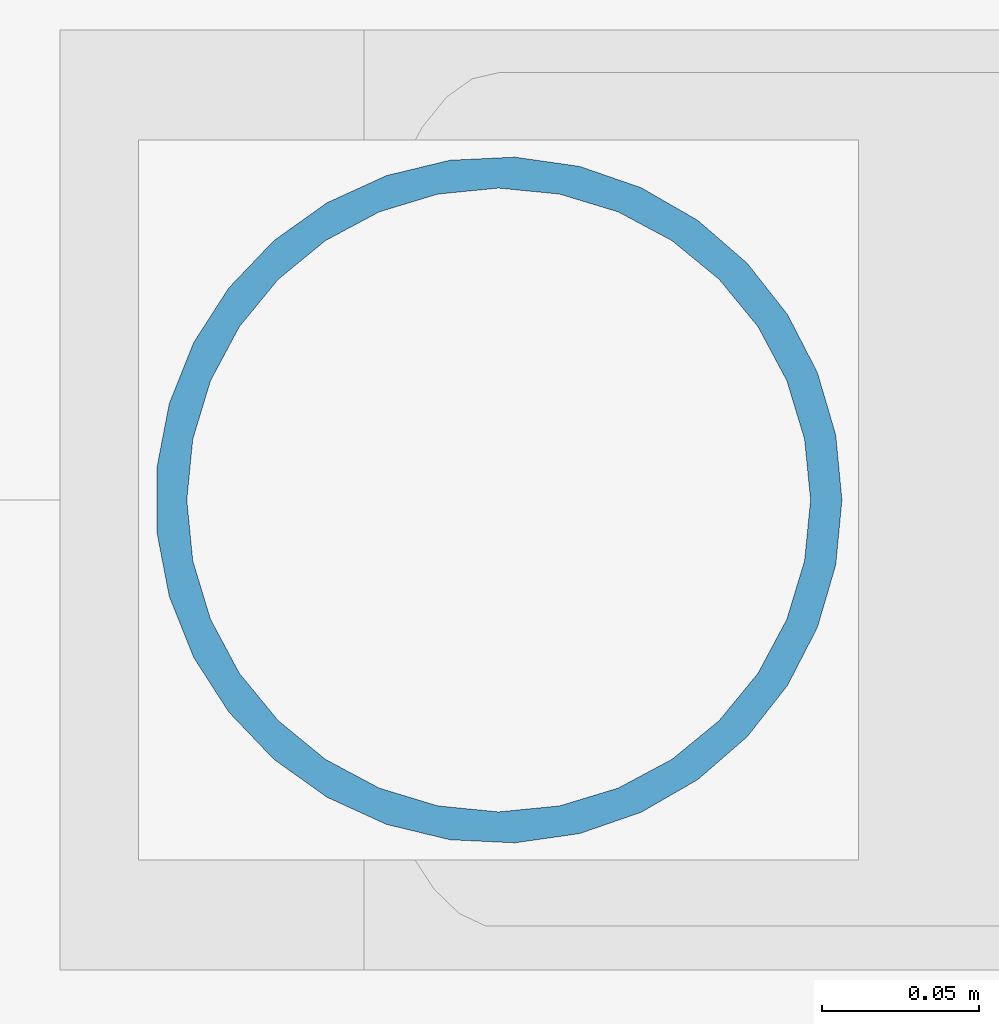
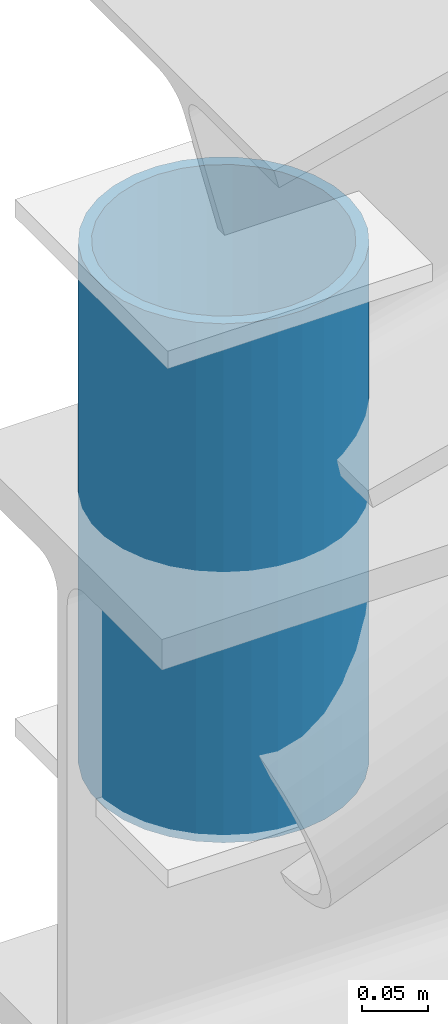
# One storey, part 44 of 56: 1 member.
"""IFC4 building model written with IfcOpenShell, lengths in metres."""

import ifcopenshell
import ifcopenshell.guid

model = None  # the IFC model being written
_history = None  # IfcOwnerHistory: only IFC2X3 demands one
_inside = {}  # id of a spatial element -> (the spatial element, [elements in it])
_under = {}  # id of a project, library or spatial element -> (it, [spatial elements below it])
_declared = {}  # id of a project -> (the project, [libraries it declares])
_typed = {}  # id of a type object -> (the type object, [elements of that type])
_made_of = {}  # id of a material, layer set ... -> (it, [elements and type objects made of it])


def new_model(schema):
    """Start an empty IFC model of exactly this schema.

    Asked for "IFC4X3", IfcOpenShell would pick the latest addendum, in which some entities
    have other attributes; the version numbers below select the first issue.
    IFC2X3 requires an IfcOwnerHistory on every rooted entity: one is made here for all.
    """
    global model, _history
    if schema == "IFC4X3":
        model = ifcopenshell.file(schema_version=(4, 3, 0, 0))
    else:
        model = ifcopenshell.file(schema=schema)
    _inside.clear()
    _under.clear()
    _declared.clear()
    _typed.clear()
    _made_of.clear()
    _history = None
    if model.schema == "IFC2X3":
        org = make("IfcOrganization", Name="unknown")
        user = make(
            "IfcPersonAndOrganization",
            ThePerson=make("IfcPerson", FamilyName="unknown"),
            TheOrganization=org,
        )
        app = make(
            "IfcApplication",
            ApplicationDeveloper=org,
            Version="unknown",
            ApplicationFullName="unknown",
            ApplicationIdentifier="unknown",
        )
        _history = make(
            "IfcOwnerHistory",
            OwningUser=user,
            OwningApplication=app,
            ChangeAction="ADDED",
            CreationDate=0,
        )
    return model


def make(cls, **values):
    """One entity of the class cls with the attributes given. An attribute that is None is left unset."""
    return model.create_entity(
        cls, **{name: value for name, value in values.items() if value is not None}
    )


def rooted(cls, **values):
    """An entity with a GlobalId (a new one), such as an element, a storey or a relation."""
    return make(cls, GlobalId=ifcopenshell.guid.new(), OwnerHistory=_history, **values)


def si_unit(unit_type, name, prefix=None):
    """IfcSIUnit, for example si_unit("LENGTHUNIT", "METRE", prefix="MILLI")."""
    return make("IfcSIUnit", UnitType=unit_type, Prefix=prefix, Name=name)


def assignment(units):
    """IfcUnitAssignment: the units of a project."""
    return None if units is None else make("IfcUnitAssignment", Units=units)


def point(xyz):
    """IfcCartesianPoint."""
    return None if xyz is None else make("IfcCartesianPoint", Coordinates=xyz)


def direction(xyz):
    """IfcDirection."""
    return None if xyz is None else make("IfcDirection", DirectionRatios=xyz)


def frame(location, z_axis=None, x_axis=None):
    """IfcAxis2Placement3D, a coordinate frame: its origin and axes. An axis left out is left unset."""
    return make(
        "IfcAxis2Placement3D",
        Location=point(location),
        Axis=direction(z_axis),
        RefDirection=direction(x_axis),
    )


def frame_2d(location, x_axis=None):
    """IfcAxis2Placement2D, a coordinate frame in the plane: its origin and x axis."""
    return make(
        "IfcAxis2Placement2D", Location=point(location), RefDirection=direction(x_axis)
    )


def origin():
    """The frame at (0, 0, 0) with its axes left unset."""
    return frame((0.0, 0.0, 0.0))


def origin_2d():
    """The frame at (0, 0) in the plane with its x axis left unset."""
    return frame_2d((0.0, 0.0))


def place(relative_to, where):
    """IfcLocalPlacement: puts the frame where relative to a parent placement (None: the world)."""
    return make(
        "IfcLocalPlacement", PlacementRelTo=relative_to, RelativePlacement=where
    )


def context(
    kind, dimensions, precision=None, world=None, true_north=None, identifier=None
):
    """IfcGeometricRepresentationContext, for example the 3D "Model" context."""
    return make(
        "IfcGeometricRepresentationContext",
        ContextIdentifier=identifier,
        ContextType=kind,
        CoordinateSpaceDimension=dimensions,
        Precision=precision,
        WorldCoordinateSystem=world,
        TrueNorth=true_north,
    )


def subcontext(parent, identifier, kind, view, scale=None):
    """IfcGeometricRepresentationSubContext, for example "Body" below "Model"."""
    return make(
        "IfcGeometricRepresentationSubContext",
        ContextIdentifier=identifier,
        ContextType=kind,
        ParentContext=parent,
        TargetScale=scale,
        TargetView=view,
    )


def project(units=None, contexts=None):
    """IfcProject with its units and contexts."""
    return rooted(
        "IfcProject",
        Name="project",
        RepresentationContexts=contexts,
        UnitsInContext=assignment(units),
    )


def spatial(cls, under=None, at=None, **own):
    """A site, building, storey or space (cls), placed at a placement, below another one or the project."""
    s = rooted(cls, ObjectPlacement=at, **own)
    if under is not None:
        _under.setdefault(under.id(), (under, []))[1].append(s)
    return s


def profile(cls, at=None, kind="AREA", **sizes):
    """A parametric profile (cls). Its sizes go by their IFC names, for example OverallWidth=200.0."""
    return make(cls, ProfileType=kind, Position=at, **sizes)


def hollow_circle(**sizes):
    """IfcCircleHollowProfileDef."""
    return profile("IfcCircleHollowProfileDef", **sizes)


def extrude(swept, where, along, depth):
    """IfcExtrudedAreaSolid: the profile swept, set in the frame where, extruded along a direction by depth."""
    return make(
        "IfcExtrudedAreaSolid",
        SweptArea=swept,
        Position=where,
        ExtrudedDirection=direction(along),
        Depth=depth,
    )


def shape(context_of_items, identifier, shape_type, items):
    """IfcShapeRepresentation: the items that make up one representation, for example the "Body"."""
    return make(
        "IfcShapeRepresentation",
        ContextOfItems=context_of_items,
        RepresentationIdentifier=identifier,
        RepresentationType=shape_type,
        Items=items,
    )


def material(Name=None, Category=None):
    """IfcMaterial."""
    return make("IfcMaterial", Name=Name, Category=Category)


def material_profile(
    of_material, cross_section, Name=None, Category=None, Priority=None
):
    """IfcMaterialProfile: a cross section and its material."""
    return make(
        "IfcMaterialProfile",
        Name=Name,
        Material=of_material,
        Profile=cross_section,
        Priority=Priority,
        Category=Category,
    )


def profile_set(profiles, Name=None, composite=None):
    """IfcMaterialProfileSet."""
    return make(
        "IfcMaterialProfileSet",
        Name=Name,
        MaterialProfiles=profiles,
        CompositeProfile=composite,
    )


def made_of(thing, what):
    """Note that an element or type object is made of a material, layer set ...; save() writes the relation."""
    if what is not None:
        _made_of.setdefault(what.id(), (what, []))[1].append(thing)
    return thing


def type_object(cls, material=None, **own):
    """A type object (cls), such as IfcWallType, which elements share."""
    return made_of(rooted(cls, **own), material)


def element(
    cls,
    number,
    at=None,
    inside=None,
    cuts=None,
    type_object=None,
    material=None,
    context=None,
    identifier="Body",
    shape_type=None,
    held_by="IfcProductDefinitionShape",
    body=None,
    shapes=None,
    **own,
):
    """One element of the class cls, such as IfcWall. Its Tag is "e" and its number.

    at: its placement. inside: the storey or other place that contains it. cuts: it is an
    opening in that element (IfcRelVoidsElement). A single representation is given by context,
    identifier, shape_type and body (its items); several are given by shapes. held_by: the class
    of the entity that holds the representations. save() writes the other relations.
    """
    e = rooted(cls, Tag="e%d" % number, ObjectPlacement=at, **own)
    if body is not None:
        shapes = [shape(context, identifier, shape_type, body)]
    if shapes is not None:
        e.Representation = make(held_by, Representations=shapes)
    if inside is not None:
        _inside.setdefault(inside.id(), (inside, []))[1].append(e)
    if cuts is not None:
        rooted(
            "IfcRelVoidsElement", RelatingBuildingElement=cuts, RelatedOpeningElement=e
        )
    if type_object is not None:
        _typed.setdefault(type_object.id(), (type_object, []))[1].append(e)
    return made_of(e, material)


def aggregate(whole, parts):
    """IfcRelAggregates: a whole, such as a stair, and the parts it consists of."""
    return rooted("IfcRelAggregates", RelatingObject=whole, RelatedObjects=parts)


def save(model, path):
    """Write the relations noted so far, then the file.

    IfcRelAggregates (storeys below a building ...), IfcRelContainedInSpatialStructure (elements
    in a storey), IfcRelDefinesByType, IfcRelAssociatesMaterial and IfcRelDeclares: one each for
    every whole, place, type object, material and project.
    """
    for whole, parts in _under.values():
        aggregate(whole, parts)
    for where, things in _inside.values():
        rooted(
            "IfcRelContainedInSpatialStructure",
            RelatedElements=things,
            RelatingStructure=where,
        )
    for kind, things in _typed.values():
        rooted("IfcRelDefinesByType", RelatedObjects=things, RelatingType=kind)
    for what, things in _made_of.values():
        rooted("IfcRelAssociatesMaterial", RelatedObjects=things, RelatingMaterial=what)
    for by, libraries in _declared.values():
        rooted("IfcRelDeclares", RelatingContext=by, RelatedDefinitions=libraries)
    model.write(path)


model = new_model("IFC4")

# Units and contexts
model_context = context("Model", 3, precision=1e-05, world=origin(), true_north=direction((0.0, 1.0)))
body_context = subcontext(model_context, "Body", "Model", "MODEL_VIEW")
ifc_project = project(units=[si_unit("LENGTHUNIT", "METRE"), si_unit("AREAUNIT", "SQUARE_METRE"), si_unit("VOLUMEUNIT", "CUBIC_METRE"), si_unit("PLANEANGLEUNIT", "RADIAN"), si_unit("MASSUNIT", "GRAM", prefix="KILO")], contexts=[model_context])

# Site, building, storey
site_placement = place(None, origin())
site = spatial("IfcSite", under=ifc_project, at=site_placement, CompositionType="ELEMENT")
building_placement = place(site_placement, origin())
building = spatial("IfcBuilding", under=site, at=building_placement, Name="Bozkorgan Art Gallery", CompositionType="ELEMENT")
storey_placement = place(building_placement, frame((0.0, 0.0, 24.0)))
storey = spatial("IfcBuildingStorey", under=building, at=storey_placement, Name="L05", CompositionType="ELEMENT", Elevation=24.0)

# Member
ifc_material = material(Name="Steel S355J2", Category="steel")
ifc_material_profile = material_profile(ifc_material, hollow_circle(Radius=0.109619140625, WallThickness=0.010009765625, at=origin_2d()), Name="CHS 219.1x10")
ifc_profile_set = profile_set([ifc_material_profile], Name="Steel S355J2")
member_type = type_object("IfcMemberType", Name="MEMBER-TP-78", PredefinedType="POST", material=ifc_profile_set)
member_placement = place(storey_placement, frame((133.60009765625, 84.39990234375, 0.25), z_axis=(0.0, 0.0, 1.0), x_axis=(1.0, 0.0, 0.0)))
element("IfcMember", 1, at=member_placement, inside=storey, type_object=member_type, Name="ROOF-V5-MAIN roof truss 4 post 0", PredefinedType="POST", context=body_context, shape_type="SweptSolid", body=[
    extrude(hollow_circle(Radius=0.109619140625, WallThickness=0.010009765625, at=origin_2d()), origin(), (0.0, 0.0, 1.0), 0.476806640625),
])

save(model, "model.ifc")
